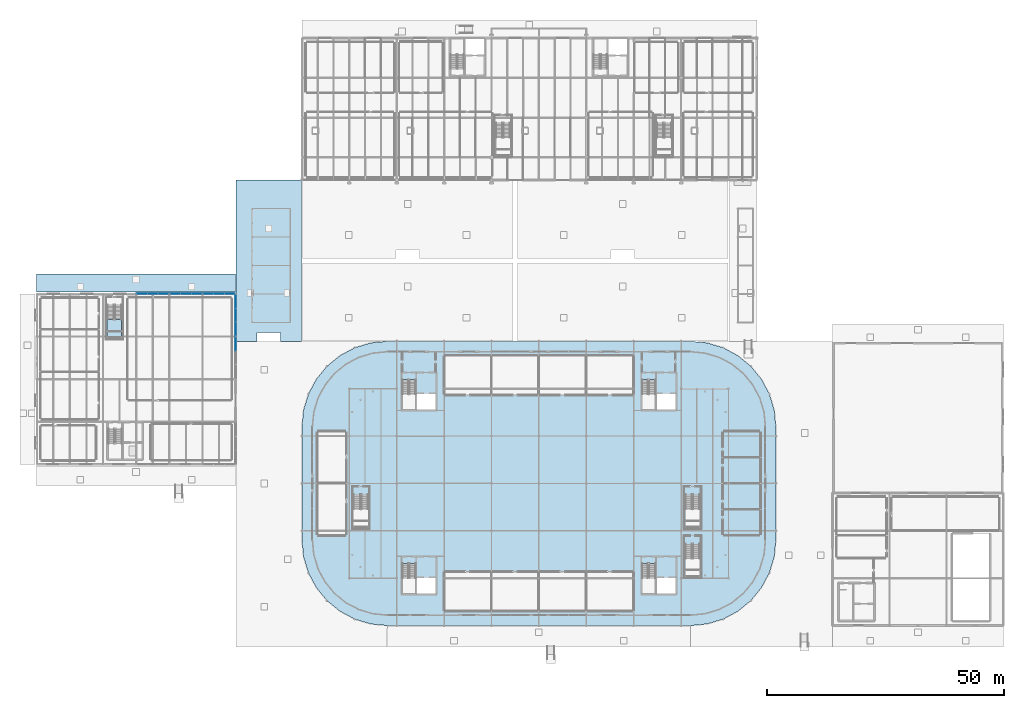
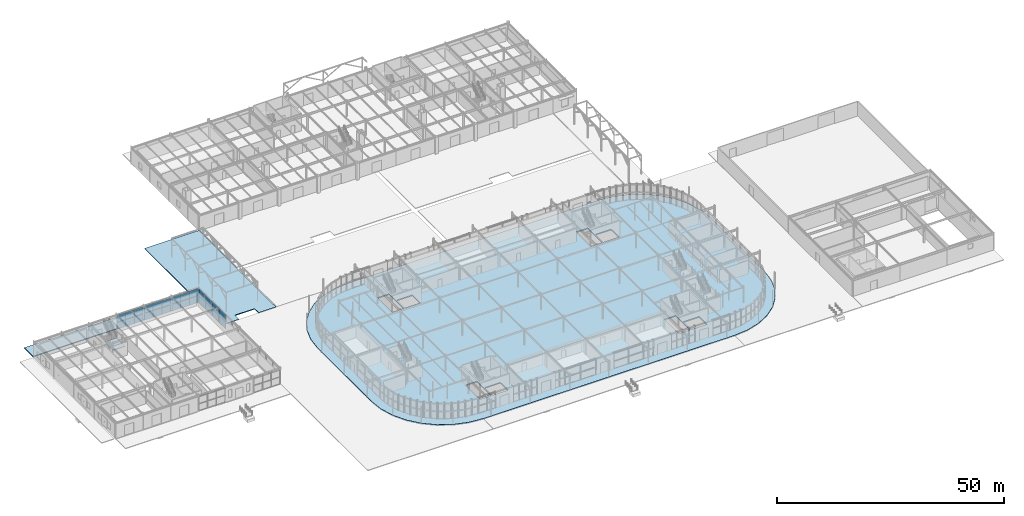
# One storey, part 76 of 119: 26 plates, 4 slabs, 6 elements without a shape of their own.
"""IFC4 building model written with IfcOpenShell, lengths in metres."""

from ifc_helpers import new_model, si_unit, derived_unit, direction, frame, origin, origin_2d_with_axis, place, context, subcontext, project, spatial, polyline, rectangle, outline, extrude, material, layer, layer_set, type_object, element, aggregate, save


model = new_model("IFC4")

# Units and contexts
model_context = context("Model", 3, precision=1e-05, world=origin(), true_north=direction((0.0, 1.0)))
body_context = subcontext(model_context, "Body", "Model", "MODEL_VIEW")
ifc_project = project(units=[si_unit("LENGTHUNIT", "METRE"), si_unit("AREAUNIT", "SQUARE_METRE"), si_unit("VOLUMEUNIT", "CUBIC_METRE"), si_unit("PLANEANGLEUNIT", "RADIAN"), si_unit("MASSUNIT", "GRAM", prefix="KILO"), derived_unit("THERMALTRANSMITTANCEUNIT", [(si_unit("POWERUNIT", "WATT"), 1), (si_unit("LENGTHUNIT", "METRE"), -2), (si_unit("THERMODYNAMICTEMPERATUREUNIT", "KELVIN"), -1)])], contexts=[model_context])

# Site, building, storey
site_placement = place(None, origin())
site = spatial("IfcSite", under=ifc_project, at=site_placement, CompositionType="ELEMENT")
building_placement = place(site_placement, origin())
building = spatial("IfcBuilding", under=site, at=building_placement, Name="Cinnabar Yard Market Hall", CompositionType="ELEMENT")
storey_placement = place(building_placement, origin())
storey = spatial("IfcBuildingStorey", under=building, at=storey_placement, Name="L00", CompositionType="ELEMENT", Elevation=0.0)

# Curtain wall, plates
ifc_material_1 = material(Name="Anodised bronze aluminium courtyard facade", Category="aluminium")
curtain_wall_type_1 = type_object("IfcCurtainWallType", Name="CW-CWF068x39", PredefinedType="NOTDEFINED", material=ifc_material_1)
curtain_wall_1_placement = place(storey_placement, origin())
curtain_wall_1 = element("IfcCurtainWall", 1, at=curtain_wall_1_placement, inside=storey, type_object=curtain_wall_type_1, Name="Pavilion North Glazed Arcade L00 Bay 4", PredefinedType="NOTDEFINED")
ifc_material_2 = material(Name="Low-E laminated glass", Category="glass")
ifc_layer_1 = layer(ifc_material_2, 0.031982421875)
ifc_layer_set_1 = layer_set([ifc_layer_1], Name="Low-E laminated glass")
plate_type_1 = type_object("IfcPlateType", Name="CWP-GP215x183", PredefinedType="CURTAIN_PANEL", material=ifc_layer_set_1)
plate_1_placement = place(storey_placement, frame((36.747802734375, 84.0, 0.0751953125), z_axis=(0.0, 0.0, 1.0), x_axis=(-1.0, 0.0, 0.0)))
plate_1 = element("IfcPlate", 2, at=plate_1_placement, type_object=plate_type_1, Name="CWF068x39 panel 1.1", PredefinedType="CURTAIN_PANEL", context=body_context, shape_type="SweptSolid", body=[
    extrude(rectangle(XDim=2.154052734375, YDim=0.031982421875, at=origin_2d_with_axis()), origin(), (0.0, 0.0, 1.0), 1.827392578125),
])
plate_2_placement = place(storey_placement, frame((36.747802734375, 84.0, 1.9775390625), z_axis=(0.0, 0.0, 1.0), x_axis=(-1.0, 0.0, 0.0)))
plate_2 = element("IfcPlate", 3, at=plate_2_placement, type_object=plate_type_1, Name="CWF068x39 panel 1.2", PredefinedType="CURTAIN_PANEL", context=body_context, shape_type="SweptSolid", body=[
    extrude(rectangle(XDim=2.154052734375, YDim=0.031982421875, at=origin_2d_with_axis()), origin(), (0.0, 0.0, 1.0), 1.827392578125),
])
plate_3_placement = place(storey_placement, frame((32.252197265625, 84.0, 0.0751953125), z_axis=(0.0, 0.0, 1.0), x_axis=(-1.0, 0.0, 0.0)))
plate_3 = element("IfcPlate", 4, at=plate_3_placement, type_object=plate_type_1, Name="CWF068x39 panel 3.1", PredefinedType="CURTAIN_PANEL", context=body_context, shape_type="SweptSolid", body=[
    extrude(rectangle(XDim=2.154052734375, YDim=0.031982421875, at=origin_2d_with_axis()), origin(), (0.0, 0.0, 1.0), 1.827392578125),
])
plate_4_placement = place(storey_placement, frame((32.252197265625, 84.0, 1.9775390625), z_axis=(0.0, 0.0, 1.0), x_axis=(-1.0, 0.0, 0.0)))
plate_4 = element("IfcPlate", 5, at=plate_4_placement, type_object=plate_type_1, Name="CWF068x39 panel 3.2", PredefinedType="CURTAIN_PANEL", context=body_context, shape_type="SweptSolid", body=[
    extrude(rectangle(XDim=2.154052734375, YDim=0.031982421875, at=origin_2d_with_axis()), origin(), (0.0, 0.0, 1.0), 1.827392578125),
])

curtain_wall_2_placement = place(storey_placement, origin())
curtain_wall_2 = element("IfcCurtainWall", 6, at=curtain_wall_2_placement, inside=storey, type_object=curtain_wall_type_1, Name="Pavilion North Glazed Arcade L00 Bay 5", PredefinedType="NOTDEFINED")
plate_5_placement = place(storey_placement, frame((43.747802734375, 84.0, 0.0751953125), z_axis=(0.0, 0.0, 1.0), x_axis=(-1.0, 0.0, 0.0)))
plate_5 = element("IfcPlate", 7, at=plate_5_placement, type_object=plate_type_1, Name="CWF068x39 panel 1.1", PredefinedType="CURTAIN_PANEL", context=body_context, shape_type="SweptSolid", body=[
    extrude(rectangle(XDim=2.154052734375, YDim=0.031982421875, at=origin_2d_with_axis()), origin(), (0.0, 0.0, 1.0), 1.827392578125),
])
plate_6_placement = place(storey_placement, frame((43.747802734375, 84.0, 1.9775390625), z_axis=(0.0, 0.0, 1.0), x_axis=(-1.0, 0.0, 0.0)))
plate_6 = element("IfcPlate", 8, at=plate_6_placement, type_object=plate_type_1, Name="CWF068x39 panel 1.2", PredefinedType="CURTAIN_PANEL", context=body_context, shape_type="SweptSolid", body=[
    extrude(rectangle(XDim=2.154052734375, YDim=0.031982421875, at=origin_2d_with_axis()), origin(), (0.0, 0.0, 1.0), 1.827392578125),
])
plate_7_placement = place(storey_placement, frame((39.252197265625, 84.0, 0.0751953125), z_axis=(0.0, 0.0, 1.0), x_axis=(-1.0, 0.0, 0.0)))
plate_7 = element("IfcPlate", 9, at=plate_7_placement, type_object=plate_type_1, Name="CWF068x39 panel 3.1", PredefinedType="CURTAIN_PANEL", context=body_context, shape_type="SweptSolid", body=[
    extrude(rectangle(XDim=2.154052734375, YDim=0.031982421875, at=origin_2d_with_axis()), origin(), (0.0, 0.0, 1.0), 1.827392578125),
])
plate_8_placement = place(storey_placement, frame((39.252197265625, 84.0, 1.9775390625), z_axis=(0.0, 0.0, 1.0), x_axis=(-1.0, 0.0, 0.0)))
plate_8 = element("IfcPlate", 10, at=plate_8_placement, type_object=plate_type_1, Name="CWF068x39 panel 3.2", PredefinedType="CURTAIN_PANEL", context=body_context, shape_type="SweptSolid", body=[
    extrude(rectangle(XDim=2.154052734375, YDim=0.031982421875, at=origin_2d_with_axis()), origin(), (0.0, 0.0, 1.0), 1.827392578125),
])

curtain_wall_3_placement = place(storey_placement, origin())
curtain_wall_3 = element("IfcCurtainWall", 11, at=curtain_wall_3_placement, inside=storey, type_object=curtain_wall_type_1, Name="Pavilion North Glazed Arcade L00 Bay 6", PredefinedType="NOTDEFINED")
plate_9_placement = place(storey_placement, frame((50.747802734375, 84.0, 0.0751953125), z_axis=(0.0, 0.0, 1.0), x_axis=(-1.0, 0.0, 0.0)))
plate_9 = element("IfcPlate", 12, at=plate_9_placement, type_object=plate_type_1, Name="CWF068x39 panel 1.1", PredefinedType="CURTAIN_PANEL", context=body_context, shape_type="SweptSolid", body=[
    extrude(rectangle(XDim=2.154052734375, YDim=0.031982421875, at=origin_2d_with_axis()), origin(), (0.0, 0.0, 1.0), 1.827392578125),
])
plate_10_placement = place(storey_placement, frame((50.747802734375, 84.0, 1.9775390625), z_axis=(0.0, 0.0, 1.0), x_axis=(-1.0, 0.0, 0.0)))
plate_10 = element("IfcPlate", 13, at=plate_10_placement, type_object=plate_type_1, Name="CWF068x39 panel 1.2", PredefinedType="CURTAIN_PANEL", context=body_context, shape_type="SweptSolid", body=[
    extrude(rectangle(XDim=2.154052734375, YDim=0.031982421875, at=origin_2d_with_axis()), origin(), (0.0, 0.0, 1.0), 1.827392578125),
])
plate_11_placement = place(storey_placement, frame((46.252197265625, 84.0, 0.0751953125), z_axis=(0.0, 0.0, 1.0), x_axis=(-1.0, 0.0, 0.0)))
plate_11 = element("IfcPlate", 14, at=plate_11_placement, type_object=plate_type_1, Name="CWF068x39 panel 3.1", PredefinedType="CURTAIN_PANEL", context=body_context, shape_type="SweptSolid", body=[
    extrude(rectangle(XDim=2.154052734375, YDim=0.031982421875, at=origin_2d_with_axis()), origin(), (0.0, 0.0, 1.0), 1.827392578125),
])
plate_12_placement = place(storey_placement, frame((46.252197265625, 84.0, 1.9775390625), z_axis=(0.0, 0.0, 1.0), x_axis=(-1.0, 0.0, 0.0)))
plate_12 = element("IfcPlate", 15, at=plate_12_placement, type_object=plate_type_1, Name="CWF068x39 panel 3.2", PredefinedType="CURTAIN_PANEL", context=body_context, shape_type="SweptSolid", body=[
    extrude(rectangle(XDim=2.154052734375, YDim=0.031982421875, at=origin_2d_with_axis()), origin(), (0.0, 0.0, 1.0), 1.827392578125),
])

# Plate
ifc_layer_2 = layer(ifc_material_2, 0.031982421875)
ifc_layer_set_2 = layer_set([ifc_layer_2], Name="Low-E laminated glass")
plate_type_2 = type_object("IfcPlateType", Name="CWP-GP219x183", PredefinedType="CURTAIN_PANEL", material=ifc_layer_set_2)
plate_13_placement = place(storey_placement, frame((34.5, 84.0, 0.0751953125), z_axis=(0.0, 0.0, 1.0), x_axis=(-1.0, 0.0, 0.0)))
plate_13 = element("IfcPlate", 16, at=plate_13_placement, type_object=plate_type_2, Name="CWF068x39 panel 2.1", PredefinedType="CURTAIN_PANEL", context=body_context, shape_type="SweptSolid", body=[
    extrude(rectangle(XDim=2.191650390625, YDim=0.031982421875, at=origin_2d_with_axis()), origin(), (0.0, 0.0, 1.0), 1.827392578125),
])

plate_14_placement = place(storey_placement, frame((34.5, 84.0, 1.9775390625), z_axis=(0.0, 0.0, 1.0), x_axis=(-1.0, 0.0, 0.0)))
plate_14 = element("IfcPlate", 17, at=plate_14_placement, type_object=plate_type_2, Name="CWF068x39 panel 2.2", PredefinedType="CURTAIN_PANEL", context=body_context, shape_type="SweptSolid", body=[
    extrude(rectangle(XDim=2.191650390625, YDim=0.031982421875, at=origin_2d_with_axis()), origin(), (0.0, 0.0, 1.0), 1.827392578125),
])

aggregate(curtain_wall_1, [plate_1, plate_2, plate_13, plate_14, plate_3, plate_4])

plate_15_placement = place(storey_placement, frame((41.5, 84.0, 0.0751953125), z_axis=(0.0, 0.0, 1.0), x_axis=(-1.0, 0.0, 0.0)))
plate_15 = element("IfcPlate", 18, at=plate_15_placement, type_object=plate_type_2, Name="CWF068x39 panel 2.1", PredefinedType="CURTAIN_PANEL", context=body_context, shape_type="SweptSolid", body=[
    extrude(rectangle(XDim=2.191650390625, YDim=0.031982421875, at=origin_2d_with_axis()), origin(), (0.0, 0.0, 1.0), 1.827392578125),
])

plate_16_placement = place(storey_placement, frame((41.5, 84.0, 1.9775390625), z_axis=(0.0, 0.0, 1.0), x_axis=(-1.0, 0.0, 0.0)))
plate_16 = element("IfcPlate", 19, at=plate_16_placement, type_object=plate_type_2, Name="CWF068x39 panel 2.2", PredefinedType="CURTAIN_PANEL", context=body_context, shape_type="SweptSolid", body=[
    extrude(rectangle(XDim=2.191650390625, YDim=0.031982421875, at=origin_2d_with_axis()), origin(), (0.0, 0.0, 1.0), 1.827392578125),
])

aggregate(curtain_wall_2, [plate_5, plate_6, plate_15, plate_16, plate_7, plate_8])

plate_17_placement = place(storey_placement, frame((48.5, 84.0, 0.0751953125), z_axis=(0.0, 0.0, 1.0), x_axis=(-1.0, 0.0, 0.0)))
plate_17 = element("IfcPlate", 20, at=plate_17_placement, type_object=plate_type_2, Name="CWF068x39 panel 2.1", PredefinedType="CURTAIN_PANEL", context=body_context, shape_type="SweptSolid", body=[
    extrude(rectangle(XDim=2.191650390625, YDim=0.031982421875, at=origin_2d_with_axis()), origin(), (0.0, 0.0, 1.0), 1.827392578125),
])

plate_18_placement = place(storey_placement, frame((48.5, 84.0, 1.9775390625), z_axis=(0.0, 0.0, 1.0), x_axis=(-1.0, 0.0, 0.0)))
plate_18 = element("IfcPlate", 21, at=plate_18_placement, type_object=plate_type_2, Name="CWF068x39 panel 2.2", PredefinedType="CURTAIN_PANEL", context=body_context, shape_type="SweptSolid", body=[
    extrude(rectangle(XDim=2.191650390625, YDim=0.031982421875, at=origin_2d_with_axis()), origin(), (0.0, 0.0, 1.0), 1.827392578125),
])

aggregate(curtain_wall_3, [plate_9, plate_10, plate_17, plate_18, plate_11, plate_12])

# Curtain wall, plates
curtain_wall_type_2 = type_object("IfcCurtainWallType", Name="CW-CWF088x39", PredefinedType="NOTDEFINED", material=ifc_material_1)
curtain_wall_4_placement = place(storey_placement, origin())
curtain_wall_4 = element("IfcCurtainWall", 22, at=curtain_wall_4_placement, inside=storey, type_object=curtain_wall_type_2, Name="Pavilion Courtyard Glazing L00 Bay 3", PredefinedType="NOTDEFINED")
ifc_layer_3 = layer(ifc_material_2, 0.031982421875)
ifc_layer_set_3 = layer_set([ifc_layer_3], Name="Low-E laminated glass")
plate_type_3 = type_object("IfcPlateType", Name="CWP-GP282x183", PredefinedType="CURTAIN_PANEL", material=ifc_layer_set_3)
plate_19_placement = place(storey_placement, frame((52.0, 73.41455078125, 0.0751953125), z_axis=(0.0, 0.0, 1.0), x_axis=(0.0, 1.0, 0.0)))
plate_19 = element("IfcPlate", 23, at=plate_19_placement, type_object=plate_type_3, Name="CWF088x39 panel 3.1", PredefinedType="CURTAIN_PANEL", context=body_context, shape_type="SweptSolid", body=[
    extrude(rectangle(XDim=2.82080078125, YDim=0.031982421875, at=origin_2d_with_axis()), origin(), (0.0, 0.0, 1.0), 1.827392578125),
])
plate_20_placement = place(storey_placement, frame((52.0, 73.41455078125, 1.9775390625), z_axis=(0.0, 0.0, 1.0), x_axis=(0.0, 1.0, 0.0)))
plate_20 = element("IfcPlate", 24, at=plate_20_placement, type_object=plate_type_3, Name="CWF088x39 panel 3.2", PredefinedType="CURTAIN_PANEL", context=body_context, shape_type="SweptSolid", body=[
    extrude(rectangle(XDim=2.82080078125, YDim=0.031982421875, at=origin_2d_with_axis()), origin(), (0.0, 0.0, 1.0), 1.827392578125),
])
aggregate(curtain_wall_4, [plate_19, plate_20])

curtain_wall_5_placement = place(storey_placement, origin())
curtain_wall_5 = element("IfcCurtainWall", 25, at=curtain_wall_5_placement, inside=storey, type_object=curtain_wall_type_2, Name="Pavilion Courtyard Glazing L00 Bay 4", PredefinedType="NOTDEFINED")
plate_21_placement = place(storey_placement, frame((52.0, 76.58544921875, 0.0751953125), z_axis=(0.0, 0.0, 1.0), x_axis=(0.0, 1.0, 0.0)))
plate_21 = element("IfcPlate", 26, at=plate_21_placement, type_object=plate_type_3, Name="CWF088x39 panel 1.1", PredefinedType="CURTAIN_PANEL", context=body_context, shape_type="SweptSolid", body=[
    extrude(rectangle(XDim=2.82080078125, YDim=0.031982421875, at=origin_2d_with_axis()), origin(), (0.0, 0.0, 1.0), 1.827392578125),
])
plate_22_placement = place(storey_placement, frame((52.0, 76.58544921875, 1.9775390625), z_axis=(0.0, 0.0, 1.0), x_axis=(0.0, 1.0, 0.0)))
plate_22 = element("IfcPlate", 27, at=plate_22_placement, type_object=plate_type_3, Name="CWF088x39 panel 1.2", PredefinedType="CURTAIN_PANEL", context=body_context, shape_type="SweptSolid", body=[
    extrude(rectangle(XDim=2.82080078125, YDim=0.031982421875, at=origin_2d_with_axis()), origin(), (0.0, 0.0, 1.0), 1.827392578125),
])
plate_23_placement = place(storey_placement, frame((52.0, 82.41455078125, 0.0751953125), z_axis=(0.0, 0.0, 1.0), x_axis=(0.0, 1.0, 0.0)))
plate_23 = element("IfcPlate", 28, at=plate_23_placement, type_object=plate_type_3, Name="CWF088x39 panel 3.1", PredefinedType="CURTAIN_PANEL", context=body_context, shape_type="SweptSolid", body=[
    extrude(rectangle(XDim=2.82080078125, YDim=0.031982421875, at=origin_2d_with_axis()), origin(), (0.0, 0.0, 1.0), 1.827392578125),
])
plate_24_placement = place(storey_placement, frame((52.0, 82.41455078125, 1.9775390625), z_axis=(0.0, 0.0, 1.0), x_axis=(0.0, 1.0, 0.0)))
plate_24 = element("IfcPlate", 29, at=plate_24_placement, type_object=plate_type_3, Name="CWF088x39 panel 3.2", PredefinedType="CURTAIN_PANEL", context=body_context, shape_type="SweptSolid", body=[
    extrude(rectangle(XDim=2.82080078125, YDim=0.031982421875, at=origin_2d_with_axis()), origin(), (0.0, 0.0, 1.0), 1.827392578125),
])
ifc_layer_4 = layer(ifc_material_2, 0.031982421875)
ifc_layer_set_4 = layer_set([ifc_layer_4], Name="Low-E laminated glass")
plate_type_4 = type_object("IfcPlateType", Name="CWP-GP286x183", PredefinedType="CURTAIN_PANEL", material=ifc_layer_set_4)
plate_25_placement = place(storey_placement, frame((52.0, 79.5, 0.0751953125), z_axis=(0.0, 0.0, 1.0), x_axis=(0.0, 1.0, 0.0)))
plate_25 = element("IfcPlate", 30, at=plate_25_placement, type_object=plate_type_4, Name="CWF088x39 panel 2.1", PredefinedType="CURTAIN_PANEL", context=body_context, shape_type="SweptSolid", body=[
    extrude(rectangle(XDim=2.8583984375, YDim=0.031982421875, at=origin_2d_with_axis()), origin(), (0.0, 0.0, 1.0), 1.827392578125),
])
plate_26_placement = place(storey_placement, frame((52.0, 79.5, 1.9775390625), z_axis=(0.0, 0.0, 1.0), x_axis=(0.0, 1.0, 0.0)))
plate_26 = element("IfcPlate", 31, at=plate_26_placement, type_object=plate_type_4, Name="CWF088x39 panel 2.2", PredefinedType="CURTAIN_PANEL", context=body_context, shape_type="SweptSolid", body=[
    extrude(rectangle(XDim=2.8583984375, YDim=0.031982421875, at=origin_2d_with_axis()), origin(), (0.0, 0.0, 1.0), 1.827392578125),
])
aggregate(curtain_wall_5, [plate_21, plate_22, plate_25, plate_26, plate_23, plate_24])

# Slabs
ifc_material_3 = material(Name="Concrete 40 MPa", Category="concrete")
ifc_layer_5 = layer(ifc_material_3, 0.219970703125)
ifc_layer_set_5 = layer_set([ifc_layer_5], Name="Concrete 40 MPa")
slab_type_1 = type_object("IfcSlabType", Name="SL-APRON", PredefinedType="BASESLAB", material=ifc_layer_set_5)
slab_1_placement = place(storey_placement, frame((0.0, 0.0, -0.219970703125)))
element("IfcSlab", 32, at=slab_1_placement, inside=storey, type_object=slab_type_1, Name="Food Court North Entry Apron", PredefinedType="BASESLAB", context=body_context, shape_type="SweptSolid", body=[
    extrude(outline(polyline([(10.0, 84.35009765625), (51.9599609375, 84.35009765625), (51.9599609375, 88.199951171875), (10.0, 88.199951171875), (10.0, 84.35009765625)])), origin(), (0.0, 0.0, 1.0), 0.219970703125),
])
ifc_layer_6 = layer(ifc_material_3, 0.300048828125)
ifc_layer_set_6 = layer_set([ifc_layer_6], Name="Concrete 40 MPa")
slab_type_2 = type_object("IfcSlabType", Name="SL-L00", PredefinedType="FLOOR", material=ifc_layer_set_6)
slab_2_placement = place(storey_placement, frame((0.0, 0.0, -0.300048828125)))
element("IfcSlab", 33, at=slab_2_placement, inside=storey, type_object=slab_type_2, Name="L00 Market Hall Floor Slab", PredefinedType="FLOOR", context=body_context, shape_type="SweptSolid", body=[
    extrude(outline(polyline([(66.0, 32.0), (66.345947265625, 28.48828125), (67.3701171875, 25.11181640625), (69.033447265625, 21.999755859375), (71.272216796875, 19.272216796875), (73.999755859375, 17.033447265625), (77.11181640625, 15.3701171875), (80.48828125, 14.345947265625), (84.0, 14.0), (148.0, 14.0), (151.51171875, 14.345947265625), (154.88818359375, 15.3701171875), (158.000244140625, 17.033447265625), (160.727783203125, 19.272216796875), (162.966552734375, 21.999755859375), (164.6298828125, 25.11181640625), (165.654052734375, 28.48828125), (166.0, 32.0), (166.0, 56.0), (165.654052734375, 59.51171875), (164.6298828125, 62.88818359375), (162.966552734375, 66.000244140625), (160.727783203125, 68.727783203125), (158.000244140625, 70.966552734375), (154.88818359375, 72.6298828125), (151.51171875, 73.654052734375), (148.0, 74.0), (84.0, 74.0), (80.48828125, 73.654052734375), (77.11181640625, 72.6298828125), (73.999755859375, 70.966552734375), (71.272216796875, 68.727783203125), (69.033447265625, 66.000244140625), (67.3701171875, 62.88818359375), (66.345947265625, 59.51171875), (66.0, 56.0), (66.0, 32.0)]), holes=[polyline([(87.139892578125, 27.094970703125), (87.139892578125, 20.739990234375), (90.0, 20.739990234375), (90.0, 27.094970703125), (87.139892578125, 27.094970703125)]), polyline([(90.300048828125, 20.75), (94.25, 20.75), (94.25, 24.14990234375), (90.300048828125, 24.14990234375), (90.300048828125, 20.75)]), polyline([(137.739990234375, 27.094970703125), (137.739990234375, 20.739990234375), (140.60009765625, 20.739990234375), (140.60009765625, 27.094970703125), (137.739990234375, 27.094970703125)]), polyline([(140.89990234375, 20.75), (144.85009765625, 20.75), (144.85009765625, 24.14990234375), (140.89990234375, 24.14990234375), (140.89990234375, 20.75)]), polyline([(87.139892578125, 65.89501953125), (87.139892578125, 59.5400390625), (90.0, 59.5400390625), (90.0, 65.89501953125), (87.139892578125, 65.89501953125)]), polyline([(90.300048828125, 59.550048828125), (94.25, 59.550048828125), (94.25, 62.949951171875), (90.300048828125, 62.949951171875), (90.300048828125, 59.550048828125)]), polyline([(137.739990234375, 65.89501953125), (137.739990234375, 59.5400390625), (140.60009765625, 59.5400390625), (140.60009765625, 65.89501953125), (137.739990234375, 65.89501953125)]), polyline([(140.89990234375, 59.550048828125), (144.85009765625, 59.550048828125), (144.85009765625, 62.949951171875), (140.89990234375, 62.949951171875), (140.89990234375, 59.550048828125)])]), origin(), (0.0, 0.0, 1.0), 0.300048828125),
])

# Stair, slab
ifc_material_4 = material(Name="Spotted gum timber treads on steel Grade 350 (350 MPa)", Category="steel")
stair_type = type_object("IfcStairType", Name="ST-FEAT", PredefinedType="HALF_TURN_STAIR", material=ifc_material_4)
stair_placement = place(storey_placement, origin())
stair = element("IfcStair", 34, at=stair_placement, inside=storey, type_object=stair_type, Name="L00 Feature Stair ST-F3", PredefinedType="HALF_TURN_STAIR")
ifc_layer_7 = layer(ifc_material_3, 0.199951171875)
ifc_layer_set_7 = layer_set([ifc_layer_7], Name="Concrete 40 MPa")
slab_type_3 = type_object("IfcSlabType", Name="SL-LAND", PredefinedType="LANDING", material=ifc_layer_set_7)
slab_3_placement = place(storey_placement, frame((0.0, 0.0, 2.050048828125)))
slab_3 = element("IfcSlab", 35, at=slab_3_placement, type_object=slab_type_3, Name="ST-F3 landing 1", PredefinedType="LANDING", context=body_context, shape_type="SweptSolid", body=[
    extrude(outline(polyline([(24.89990234375, 78.570068359375), (24.89990234375, 74.85009765625), (27.9599609375, 74.85009765625), (27.9599609375, 78.570068359375), (24.89990234375, 78.570068359375)])), origin(), (0.0, 0.0, 1.0), 0.199951171875),
])
aggregate(stair, [slab_3])

# Slab
ifc_layer_8 = layer(ifc_material_3, 0.199951171875)
ifc_layer_set_8 = layer_set([ifc_layer_8], Name="Concrete 40 MPa")
slab_type_4 = type_object("IfcSlabType", Name="SL-PASG", PredefinedType="BASESLAB", material=ifc_layer_set_8)
slab_4_placement = place(storey_placement, frame((0.0, 0.0, -0.199951171875)))
element("IfcSlab", 36, at=slab_4_placement, inside=storey, type_object=slab_type_4, Name="West Covered Passage Paving", PredefinedType="BASESLAB", context=body_context, shape_type="SweptSolid", body=[
    extrude(outline(polyline([(52.10009765625, 74.0), (56.5, 74.0), (56.5, 75.800048828125), (61.5, 75.800048828125), (61.5, 74.0), (65.89990234375, 74.0), (65.89990234375, 108.0), (52.10009765625, 108.0), (52.10009765625, 74.0)])), origin(), (0.0, 0.0, 1.0), 0.199951171875),
])

save(model, "model.ifc")
